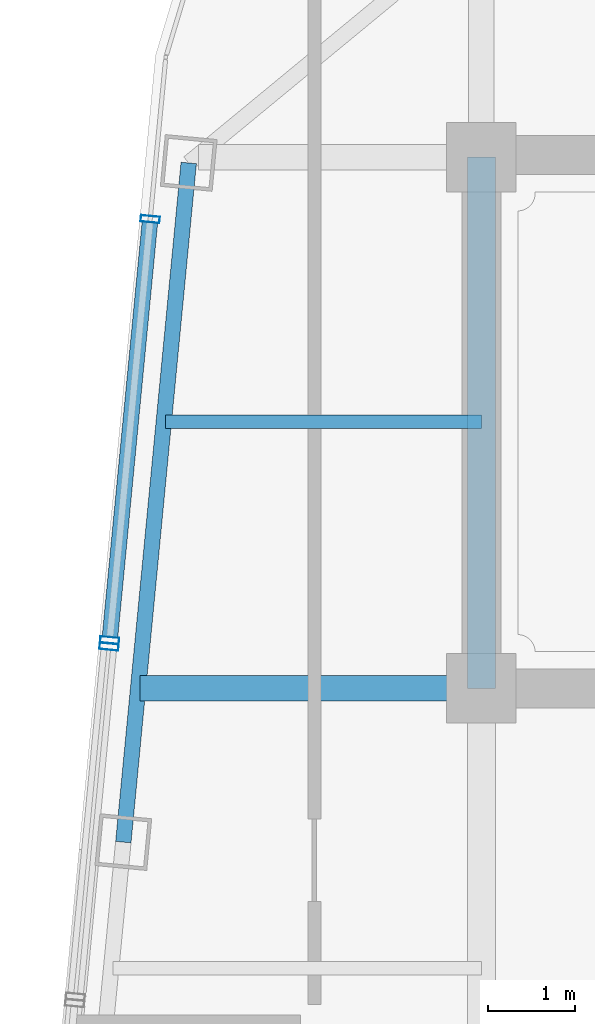
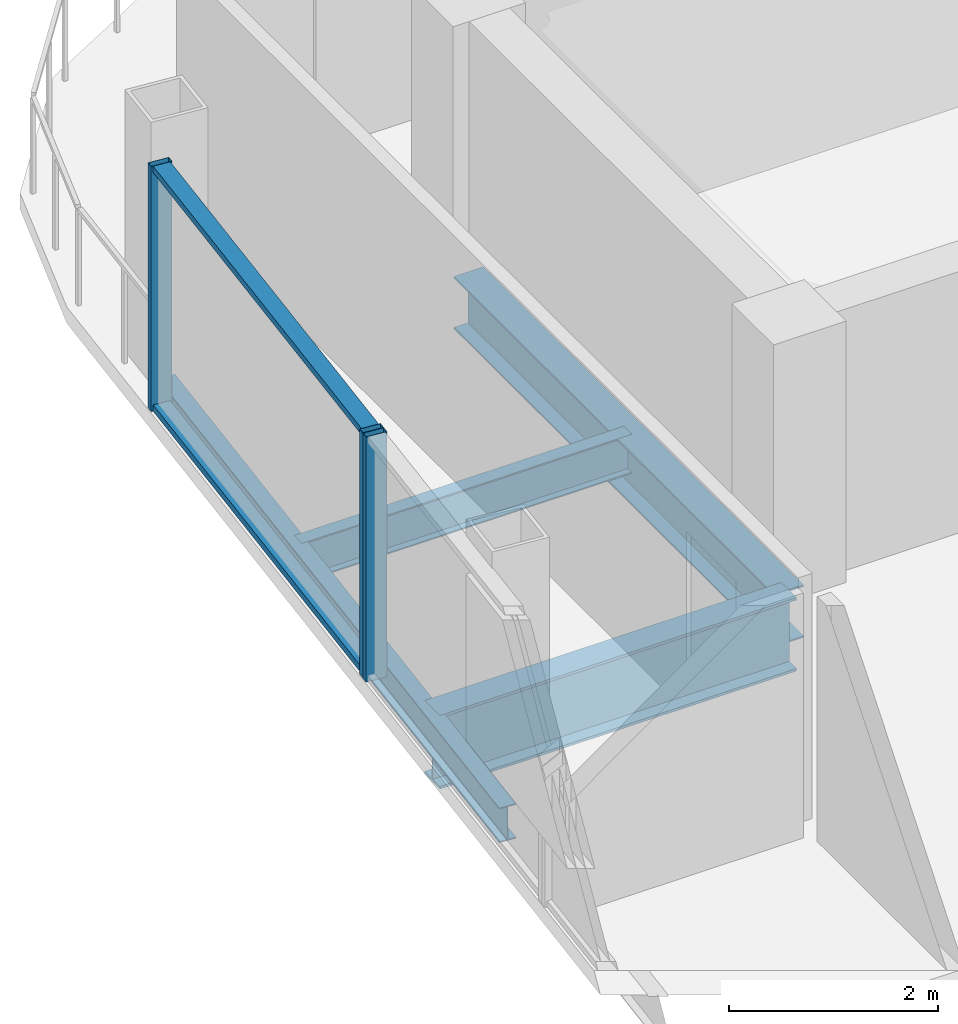
# One storey, part 9 of 22: 5 members, 4 beams, 2 elements without a shape of their own.
"""IFC4 building model written with IfcOpenShell, lengths in metres."""

from ifc_helpers import new_model, si_unit, direction, frame, origin, origin_2d, place, context, subcontext, project, spatial, hollow_rectangle, i_section, extrude, material, layer, layer_set, material_profile, profile_set, type_object, element, aggregate, save


model = new_model("IFC4")

# Units and contexts
model_context = context("Model", 3, precision=1e-05, world=origin(), true_north=direction((0.0, 1.0)))
body_context = subcontext(model_context, "Body", "Model", "MODEL_VIEW")
ifc_project = project(units=[si_unit("LENGTHUNIT", "METRE"), si_unit("AREAUNIT", "SQUARE_METRE"), si_unit("VOLUMEUNIT", "CUBIC_METRE"), si_unit("PLANEANGLEUNIT", "RADIAN"), si_unit("MASSUNIT", "GRAM", prefix="KILO")], contexts=[model_context])

# Site, building, storey
site_placement = place(None, origin())
site = spatial("IfcSite", under=ifc_project, at=site_placement, CompositionType="ELEMENT")
building_placement = place(site_placement, origin())
building = spatial("IfcBuilding", under=site, at=building_placement, Name="Qhalaya Broadcast Tower", CompositionType="ELEMENT")
storey_placement = place(building_placement, frame((0.0, 0.0, 252.0)))
storey = spatial("IfcBuildingStorey", under=building, at=storey_placement, Name="L74", CompositionType="ELEMENT", Elevation=252.0)

# Beams
ifc_material_1 = material(Name="Structural Steel ASTM A992 Grade 50", Category="steel")
ifc_material_profile_1 = material_profile(ifc_material_1, i_section(OverallWidth=0.154052734375, OverallDepth=0.458984375, WebThickness=0.009033203125, FlangeThickness=0.015380859375, at=origin_2d()), Name="W18X46")
ifc_profile_set_1 = profile_set([ifc_material_profile_1], Name="Structural Steel ASTM A992 Grade 50")
beam_type_1 = type_object("IfcBeamType", Name="Composite Floor Joist J04", PredefinedType="JOIST", material=ifc_profile_set_1)
beam_1_placement = place(storey_placement, frame((-13.015625, 6.89990234375, -0.41943359375), z_axis=(1.0, 0.0, 0.0), x_axis=(0.0, 1.0, 0.0)))
element("IfcBeam", 1, at=beam_1_placement, inside=storey, type_object=beam_type_1, Name="L74 J04 L74-JWE5W-1", PredefinedType="JOIST", context=body_context, shape_type="SweptSolid", body=[
    extrude(i_section(OverallWidth=0.154052734375, OverallDepth=0.458984375, WebThickness=0.009033203125, FlangeThickness=0.015380859375, at=origin_2d()), origin(), (0.0, 0.0, 1.0), 3.640625),
])
ifc_material_profile_2 = material_profile(ifc_material_1, i_section(OverallWidth=0.323974609375, OverallDepth=0.612060546875, WebThickness=0.0126953125, FlangeThickness=0.01904296875, at=origin_2d()), Name="W24X104")
ifc_profile_set_2 = profile_set([ifc_material_profile_2], Name="Structural Steel ASTM A992 Grade 50")
beam_type_2 = type_object("IfcBeamType", Name="Core Frame Tie Beam B04", PredefinedType="BEAM", material=ifc_profile_set_2)
beam_2_placement = place(storey_placement, frame((-9.375, 3.824951171875, -0.49609375), z_axis=(0.0, 1.0, 0.0), x_axis=(-1.0, 0.0, 0.0)))
element("IfcBeam", 2, at=beam_2_placement, inside=storey, type_object=beam_type_2, Name="L74 B04 L74-CCN2", PredefinedType="BEAM", context=body_context, shape_type="SweptSolid", body=[
    extrude(i_section(OverallWidth=0.323974609375, OverallDepth=0.612060546875, WebThickness=0.0126953125, FlangeThickness=0.01904296875, at=origin_2d()), origin(), (0.0, 0.0, 1.0), 6.125),
])

# Curtain wall, members
ifc_material_2 = material(Name="Fired Architectural Terracotta", Category="masonry")
ifc_layer_1 = layer(ifc_material_2, 0.219970703125, Name="Fired Architectural Terracotta")
ifc_layer_set_1 = layer_set([ifc_layer_1], Name="Fired Architectural Terracotta")
curtain_wall_type_1 = type_object("IfcCurtainWallType", Name="Block-Cap Unitised Terracotta Spandrel Wall CW-07", PredefinedType="NOTDEFINED", material=ifc_layer_set_1)
curtain_wall_1_placement = place(storey_placement, origin())
curtain_wall_1 = element("IfcCurtainWall", 3, at=curtain_wall_1_placement, inside=storey, type_object=curtain_wall_type_1, Name="L74 Unitised Curtain Wall L74-CW-W1", PredefinedType="NOTDEFINED")
ifc_material_3 = material(Name="Anodised Aluminium 6063-T6", Category="aluminium")
ifc_material_profile_3 = material_profile(ifc_material_3, hollow_rectangle(XDim=0.074951171875, YDim=0.219970703125, WallThickness=0.00390625, at=origin_2d()), Name="ALU-MUL 75x220x4")
ifc_profile_set_3 = profile_set([ifc_material_profile_3], Name="Anodised Aluminium 6063-T6")
member_type_1 = type_object("IfcMemberType", Name="Unitised Curtain-Wall Mullion M01", PredefinedType="MULLION", material=ifc_profile_set_3)
member_1_placement = place(storey_placement, frame((-13.192626953125, 9.235107421875, 0.0), z_axis=(0.0, 0.0, 1.0), x_axis=(-0.095840154905, -0.99539673734, 0.0)))
member_1 = element("IfcMember", 4, at=member_1_placement, type_object=member_type_1, Name="CW-07 mullion 1", PredefinedType="MULLION", context=body_context, shape_type="SweptSolid", body=[
    extrude(hollow_rectangle(XDim=0.074951171875, YDim=0.219970703125, WallThickness=0.00390625, at=origin_2d()), origin(), (0.0, 0.0, 1.0), 2.860107421875),
])
member_2_placement = place(storey_placement, frame((-13.659912109375, 4.380615234375, 0.0), z_axis=(0.0, 0.0, 1.0), x_axis=(-0.095840154905, -0.99539673734, 0.0)))
member_2 = element("IfcMember", 5, at=member_2_placement, type_object=member_type_1, Name="CW-07 mullion 2", PredefinedType="MULLION", context=body_context, shape_type="SweptSolid", body=[
    extrude(hollow_rectangle(XDim=0.074951171875, YDim=0.219970703125, WallThickness=0.00390625, at=origin_2d()), origin(), (0.0, 0.0, 1.0), 2.860107421875),
])

# Curtain wall, member
ifc_material_4 = material(Name="Solar-Control Low-E Triple Glazing", Category="glass")
ifc_layer_2 = layer(ifc_material_4, 0.219970703125, Name="Solar-Control Low-E Triple Glazing")
ifc_layer_set_2 = layer_set([ifc_layer_2], Name="Solar-Control Low-E Triple Glazing")
curtain_wall_type_2 = type_object("IfcCurtainWallType", Name="High-Altitude Upper-Shaft Triple Low-E Curtain Wall CW-04", PredefinedType="NOTDEFINED", material=ifc_layer_set_2)
curtain_wall_2_placement = place(storey_placement, origin())
curtain_wall_2 = element("IfcCurtainWall", 6, at=curtain_wall_2_placement, inside=storey, type_object=curtain_wall_type_2, Name="L74 Unitised Curtain Wall L74-CW-W2", PredefinedType="NOTDEFINED")
member_3_placement = place(storey_placement, frame((-13.667236328125, 4.305908203125, 0.0), z_axis=(0.0, 0.0, 1.0), x_axis=(-0.095859120729, -0.995394911064, 0.0)))
member_3 = element("IfcMember", 7, at=member_3_placement, type_object=member_type_1, Name="CW-04 mullion 1", PredefinedType="MULLION", context=body_context, shape_type="SweptSolid", body=[
    extrude(hollow_rectangle(XDim=0.074951171875, YDim=0.219970703125, WallThickness=0.00390625, at=origin_2d()), origin(), (0.0, 0.0, 1.0), 2.860107421875),
])
aggregate(curtain_wall_2, [member_3])

# Member
ifc_material_profile_4 = material_profile(ifc_material_3, hollow_rectangle(XDim=0.074951171875, YDim=0.179931640625, WallThickness=0.00390625, at=origin_2d()), Name="ALU-TRN 75x180x4")
ifc_profile_set_4 = profile_set([ifc_material_profile_4], Name="Anodised Aluminium 6063-T6")
member_type_2 = type_object("IfcMemberType", Name="Unitised Curtain-Wall Transom T01", PredefinedType="USERDEFINED", material=ifc_profile_set_4)
member_4_placement = place(storey_placement, frame((-13.1962890625, 9.19775390625, 0.03759765625), z_axis=(-0.095838348035, -0.99539691131, 0.0), x_axis=(0.0, 0.0, 1.0)))
member_4 = element("IfcMember", 8, at=member_4_placement, type_object=member_type_2, Name="CW-07 transom 1.1", ObjectType="TRANSOM", PredefinedType="USERDEFINED", context=body_context, shape_type="SweptSolid", body=[
    extrude(hollow_rectangle(XDim=0.074951171875, YDim=0.179931640625, WallThickness=0.00390625, at=origin_2d()), origin(), (0.0, 0.0, 1.0), 4.802001953125),
])

member_5_placement = place(storey_placement, frame((-13.1962890625, 9.19775390625, 2.822509765625), z_axis=(-0.095838348035, -0.99539691131, 0.0), x_axis=(0.0, 0.0, 1.0)))
member_5 = element("IfcMember", 9, at=member_5_placement, type_object=member_type_2, Name="CW-07 transom 1.2", ObjectType="TRANSOM", PredefinedType="USERDEFINED", context=body_context, shape_type="SweptSolid", body=[
    extrude(hollow_rectangle(XDim=0.074951171875, YDim=0.179931640625, WallThickness=0.00390625, at=origin_2d()), origin(), (0.0, 0.0, 1.0), 4.802001953125),
])

aggregate(curtain_wall_1, [member_1, member_2, member_4, member_5])

# Beams
ifc_material_profile_5 = material_profile(ifc_material_1, i_section(OverallWidth=0.2919921875, OverallDepth=0.85888671875, WebThickness=0.01708984375, FlangeThickness=0.031005859375, at=origin_2d()), Name="W33X169")
ifc_profile_set_5 = profile_set([ifc_material_profile_5], Name="Structural Steel ASTM A992 Grade 50")
beam_type_3 = type_object("IfcBeamType", Name="Upper Block Primary Girder PG4", PredefinedType="USERDEFINED", material=ifc_profile_set_5)
beam_3_placement = place(storey_placement, frame((-13.311767578125, 3.824951171875, -0.619384765625), z_axis=(1.0, 0.0, 0.0), x_axis=(0.0, 1.0, 0.0)))
element("IfcBeam", 10, at=beam_3_placement, inside=storey, type_object=beam_type_3, Name="L74 PG4 L74-PGYW3-1", ObjectType="GIRDER", PredefinedType="USERDEFINED", context=body_context, shape_type="SweptSolid", body=[
    extrude(i_section(OverallWidth=0.2919921875, OverallDepth=0.85888671875, WebThickness=0.01708984375, FlangeThickness=0.031005859375, at=origin_2d()), origin(), (0.0, 0.0, 1.0), 3.936767578125),
])
ifc_material_profile_6 = material_profile(ifc_material_1, i_section(OverallWidth=0.177978515625, OverallDepth=0.406005859375, WebThickness=0.0078125, FlangeThickness=0.0126953125, at=origin_2d()), Name="W16X40")
ifc_profile_set_6 = profile_set([ifc_material_profile_6], Name="Structural Steel ASTM A992 Grade 50")
beam_type_4 = type_object("IfcBeamType", Name="Upper Perimeter Spandrel Beam SP2", PredefinedType="SPANDREL", material=ifc_profile_set_6)
beam_4_placement = place(storey_placement, frame((-12.74853515625, 9.883056640625, -0.39306640625), z_axis=(-0.095834223619, -0.995397308407, 0.0), x_axis=(0.995397308407, -0.095834223619, 0.0)))
element("IfcBeam", 11, at=beam_4_placement, inside=storey, type_object=beam_type_4, Name="L74 SP2 L74-SPR-13", PredefinedType="SPANDREL", context=body_context, shape_type="SweptSolid", body=[
    extrude(i_section(OverallWidth=0.177978515625, OverallDepth=0.406005859375, WebThickness=0.0078125, FlangeThickness=0.0126953125, at=origin_2d()), origin(), (0.0, 0.0, 1.0), 7.86669921875),
])

save(model, "model.ifc")
